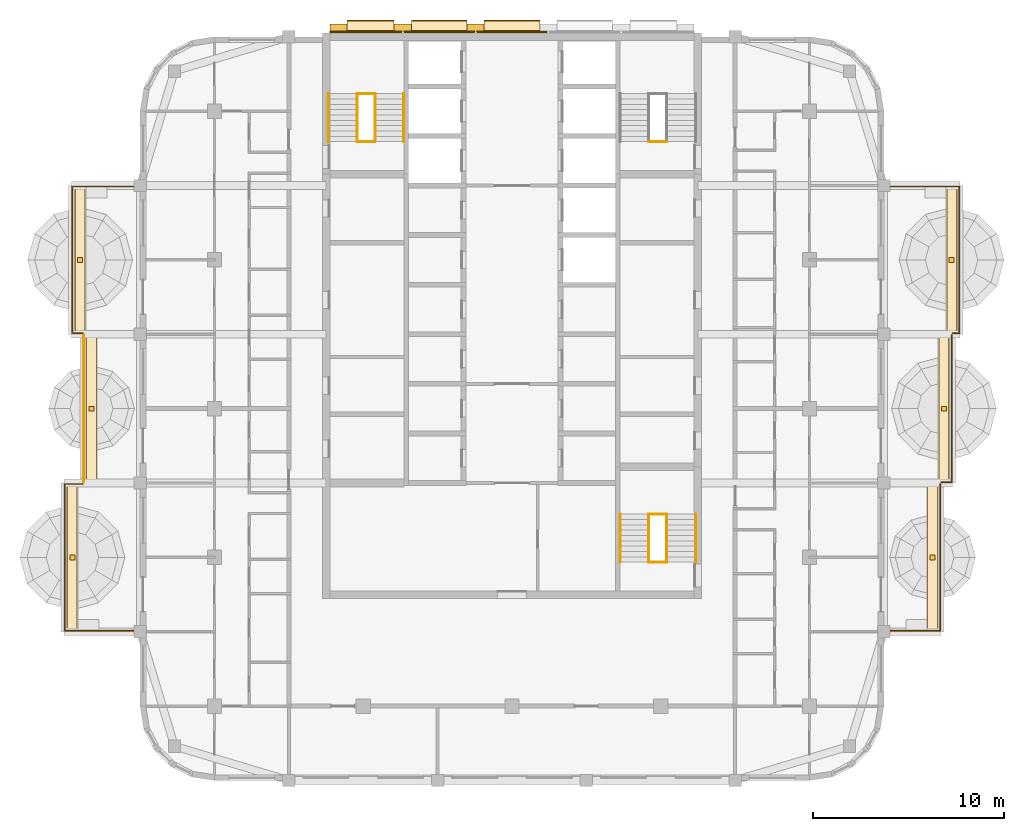
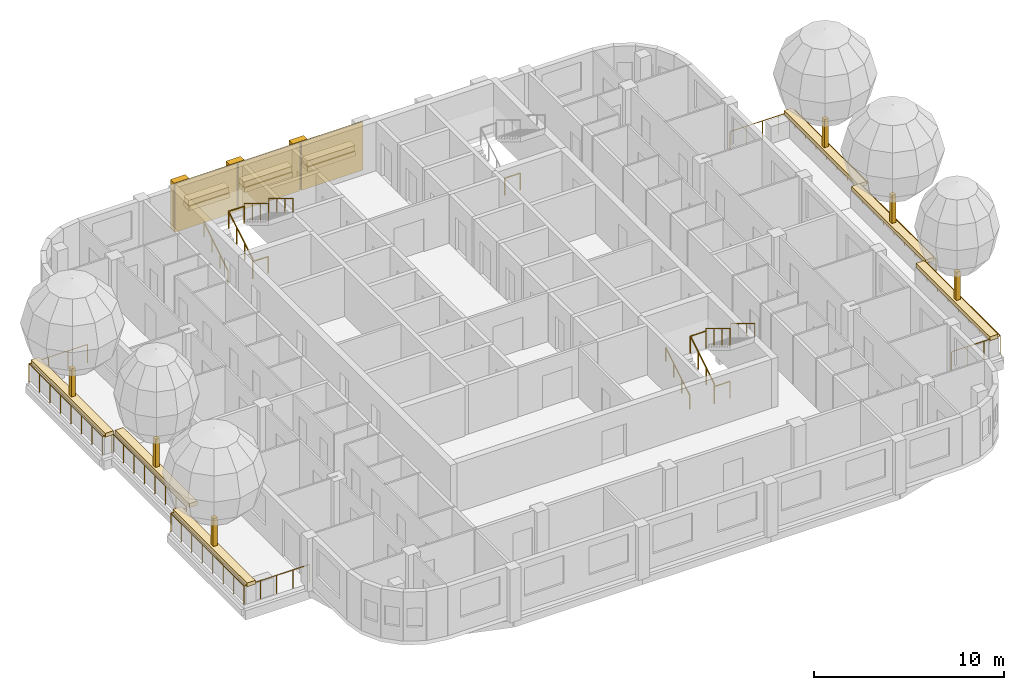
# One storey, part 11 of 13: 24 coverings, 19 railings, 3 elements without a shape of their own.
"""IFC4 building model written with IfcOpenShell, lengths in metres."""

from ifc_helpers import new_model, si_unit, direction, frame, origin, origin_2d, place, context, subcontext, project, spatial, rectangle, circle, extrude, material, layer, layer_set, type_object, element, aggregate, save


model = new_model("IFC4")

# Units and contexts
model_context = context("Model", 3, precision=1e-05, world=origin(), true_north=direction((0.0, 1.0)))
body_context = subcontext(model_context, "Body", "Model", "MODEL_VIEW")
ifc_project = project(units=[si_unit("LENGTHUNIT", "METRE"), si_unit("AREAUNIT", "SQUARE_METRE"), si_unit("VOLUMEUNIT", "CUBIC_METRE"), si_unit("PLANEANGLEUNIT", "RADIAN"), si_unit("MASSUNIT", "GRAM", prefix="KILO")], contexts=[model_context])

# Site, building, storey
site_placement = place(None, origin())
site = spatial("IfcSite", under=ifc_project, at=site_placement, CompositionType="ELEMENT")
building_placement = place(site_placement, origin())
building = spatial("IfcBuilding", under=site, at=building_placement, Name="Ludao Terraces", CompositionType="ELEMENT")
storey_placement = place(building_placement, frame((0.0, 0.0, 259.60009765625)))
storey = spatial("IfcBuildingStorey", under=building, at=storey_placement, Name="L71", CompositionType="ELEMENT", Elevation=259.60009765625)

# Railings
ifc_material_1 = material(Name="Stainless steel 304", Category="steel")
railing_type_1 = type_object("IfcRailingType", Name="ENV Balcony glass guard 1200", PredefinedType="GUARDRAIL", material=ifc_material_1)
railing_1_placement = place(storey_placement, frame((104.5, 53.35009765625, 0.0)))
element("IfcRailing", 1, at=railing_1_placement, inside=storey, type_object=railing_type_1, Name="Balcony guard L71 E1", PredefinedType="GUARDRAIL", context=body_context, shape_type="SweptSolid", body=[
    extrude(circle(Radius=0.02392578125, at=origin_2d()), frame((0.0, 0.0, 1.17578125), z_axis=(1.0, 0.0, 0.0), x_axis=(0.0, 1.0, 0.0)), (0.0, 0.0, 1.0), 2.949951171875),
    extrude(circle(Radius=0.02392578125, at=origin_2d()), frame((2.949951171875, 0.0, 1.17578125), z_axis=(0.0, 1.0, 0.0), x_axis=(-1.0, 0.0, 0.0)), (0.0, 0.0, 1.0), 7.699951171875),
    extrude(circle(Radius=0.02099609375, at=origin_2d()), origin(), (0.0, 0.0, 1.0), 1.15185546875),
    extrude(circle(Radius=0.02099609375, at=origin_2d()), frame((0.9833984375, 0.0, 0.0)), (0.0, 0.0, 1.0), 1.15185546875),
    extrude(circle(Radius=0.02099609375, at=origin_2d()), frame((1.966552734375, 0.0, 0.0)), (0.0, 0.0, 1.0), 1.15185546875),
    extrude(circle(Radius=0.02099609375, at=origin_2d()), frame((2.949951171875, 0.0, 0.0)), (0.0, 0.0, 1.0), 1.15185546875),
    extrude(circle(Radius=0.02099609375, at=origin_2d()), frame((2.949951171875, 1.10009765625, 0.0)), (0.0, 0.0, 1.0), 1.15185546875),
    extrude(circle(Radius=0.02099609375, at=origin_2d()), frame((2.949951171875, 2.199951171875, 0.0)), (0.0, 0.0, 1.0), 1.15185546875),
    extrude(circle(Radius=0.02099609375, at=origin_2d()), frame((2.949951171875, 3.300048828125, 0.0)), (0.0, 0.0, 1.0), 1.15185546875),
    extrude(circle(Radius=0.02099609375, at=origin_2d()), frame((2.949951171875, 4.39990234375, 0.0)), (0.0, 0.0, 1.0), 1.15185546875),
    extrude(circle(Radius=0.02099609375, at=origin_2d()), frame((2.949951171875, 5.5, 0.0)), (0.0, 0.0, 1.0), 1.15185546875),
    extrude(circle(Radius=0.02099609375, at=origin_2d()), frame((2.949951171875, 6.599853515625, 0.0)), (0.0, 0.0, 1.0), 1.15185546875),
    extrude(circle(Radius=0.02099609375, at=origin_2d()), frame((2.949951171875, 7.699951171875, 0.0)), (0.0, 0.0, 1.0), 1.15185546875),
])
railing_2_placement = place(storey_placement, frame((107.5, 61.14990234375, 0.0)))
element("IfcRailing", 2, at=railing_2_placement, inside=storey, type_object=railing_type_1, Name="Balcony guard L71 E2", PredefinedType="GUARDRAIL", context=body_context, shape_type="SweptSolid", body=[
    extrude(circle(Radius=0.02392578125, at=origin_2d()), frame((0.0, 0.0, 1.17578125), z_axis=(1.0, 0.0, 0.0), x_axis=(0.0, 1.0, 0.0)), (0.0, 0.0, 1.0), 0.550048828125),
    extrude(circle(Radius=0.02392578125, at=origin_2d()), frame((0.550048828125, 0.0, 1.17578125), z_axis=(0.0, 1.0, 0.0), x_axis=(-1.0, 0.0, 0.0)), (0.0, 0.0, 1.0), 7.7001953125),
    extrude(circle(Radius=0.02099609375, at=origin_2d()), origin(), (0.0, 0.0, 1.0), 1.15185546875),
    extrude(circle(Radius=0.02099609375, at=origin_2d()), frame((0.550048828125, 0.0, 0.0)), (0.0, 0.0, 1.0), 1.15185546875),
    extrude(circle(Radius=0.02099609375, at=origin_2d()), frame((0.550048828125, 1.10009765625, 0.0)), (0.0, 0.0, 1.0), 1.15185546875),
    extrude(circle(Radius=0.02099609375, at=origin_2d()), frame((0.550048828125, 2.199951171875, 0.0)), (0.0, 0.0, 1.0), 1.15185546875),
    extrude(circle(Radius=0.02099609375, at=origin_2d()), frame((0.550048828125, 3.300048828125, 0.0)), (0.0, 0.0, 1.0), 1.15185546875),
    extrude(circle(Radius=0.02099609375, at=origin_2d()), frame((0.550048828125, 4.400146484375, 0.0)), (0.0, 0.0, 1.0), 1.15185546875),
    extrude(circle(Radius=0.02099609375, at=origin_2d()), frame((0.550048828125, 5.500244140625, 0.0)), (0.0, 0.0, 1.0), 1.15185546875),
    extrude(circle(Radius=0.02099609375, at=origin_2d()), frame((0.550048828125, 6.60009765625, 0.0)), (0.0, 0.0, 1.0), 1.15185546875),
    extrude(circle(Radius=0.02099609375, at=origin_2d()), frame((0.550048828125, 7.7001953125, 0.0)), (0.0, 0.0, 1.0), 1.15185546875),
])
railing_3_placement = place(storey_placement, frame((108.10009765625, 68.949951171875, 0.0)))
element("IfcRailing", 3, at=railing_3_placement, inside=storey, type_object=railing_type_1, Name="Balcony guard L71 E3", PredefinedType="GUARDRAIL", context=body_context, shape_type="SweptSolid", body=[
    extrude(circle(Radius=0.02392578125, at=origin_2d()), frame((0.0, 0.0, 1.17578125), z_axis=(1.0, 0.0, 0.0), x_axis=(0.0, 1.0, 0.0)), (0.0, 0.0, 1.0), 0.349853515625),
    extrude(circle(Radius=0.02392578125, at=origin_2d()), frame((0.349853515625, 0.0, 1.17578125), z_axis=(0.0, 1.0, 0.0), x_axis=(-1.0, 0.0, 0.0)), (0.0, 0.0, 1.0), 7.699951171875),
    extrude(circle(Radius=0.02392578125, at=origin_2d()), frame((0.349853515625, 7.699951171875, 1.17578125), z_axis=(-1.0, 0.0, 0.0), x_axis=(0.0, -1.0, 0.0)), (0.0, 0.0, 1.0), 3.949951171875),
    extrude(circle(Radius=0.02099609375, at=origin_2d()), origin(), (0.0, 0.0, 1.0), 1.15185546875),
    extrude(circle(Radius=0.02099609375, at=origin_2d()), frame((0.349853515625, 0.0, 0.0)), (0.0, 0.0, 1.0), 1.15185546875),
    extrude(circle(Radius=0.02099609375, at=origin_2d()), frame((0.349853515625, 1.10009765625, 0.0)), (0.0, 0.0, 1.0), 1.15185546875),
    extrude(circle(Radius=0.02099609375, at=origin_2d()), frame((0.349853515625, 2.199951171875, 0.0)), (0.0, 0.0, 1.0), 1.15185546875),
    extrude(circle(Radius=0.02099609375, at=origin_2d()), frame((0.349853515625, 3.300048828125, 0.0)), (0.0, 0.0, 1.0), 1.15185546875),
    extrude(circle(Radius=0.02099609375, at=origin_2d()), frame((0.349853515625, 4.39990234375, 0.0)), (0.0, 0.0, 1.0), 1.15185546875),
    extrude(circle(Radius=0.02099609375, at=origin_2d()), frame((0.349853515625, 5.5, 0.0)), (0.0, 0.0, 1.0), 1.15185546875),
    extrude(circle(Radius=0.02099609375, at=origin_2d()), frame((0.349853515625, 6.599853515625, 0.0)), (0.0, 0.0, 1.0), 1.15185546875),
    extrude(circle(Radius=0.02099609375, at=origin_2d()), frame((0.349853515625, 7.699951171875, 0.0)), (0.0, 0.0, 1.0), 1.15185546875),
    extrude(circle(Radius=0.02099609375, at=origin_2d()), frame((-0.6376953125, 7.699951171875, 0.0)), (0.0, 0.0, 1.0), 1.15185546875),
    extrude(circle(Radius=0.02099609375, at=origin_2d()), frame((-1.625, 7.699951171875, 0.0)), (0.0, 0.0, 1.0), 1.15185546875),
    extrude(circle(Radius=0.02099609375, at=origin_2d()), frame((-2.612548828125, 7.699951171875, 0.0)), (0.0, 0.0, 1.0), 1.15185546875),
    extrude(circle(Radius=0.02099609375, at=origin_2d()), frame((-3.60009765625, 7.699951171875, 0.0)), (0.0, 0.0, 1.0), 1.15185546875),
])
railing_4_placement = place(storey_placement, frame((65.5, 53.35009765625, 0.0)))
element("IfcRailing", 4, at=railing_4_placement, inside=storey, type_object=railing_type_1, Name="Balcony guard L71 W1", PredefinedType="GUARDRAIL", context=body_context, shape_type="SweptSolid", body=[
    extrude(circle(Radius=0.02392578125, at=origin_2d()), frame((0.0, 0.0, 1.17578125), z_axis=(-1.0, 0.0, 0.0), x_axis=(0.0, -1.0, 0.0)), (0.0, 0.0, 1.0), 3.949951171875),
    extrude(circle(Radius=0.02392578125, at=origin_2d()), frame((-3.949951171875, 0.0, 1.17578125), z_axis=(0.0, 1.0, 0.0), x_axis=(-1.0, 0.0, 0.0)), (0.0, 0.0, 1.0), 7.699951171875),
    extrude(circle(Radius=0.02392578125, at=origin_2d()), frame((-3.949951171875, 7.699951171875, 1.17578125), z_axis=(1.0, 0.0, 0.0), x_axis=(0.0, 1.0, 0.0)), (0.0, 0.0, 1.0), 0.949951171875),
    extrude(circle(Radius=0.02099609375, at=origin_2d()), origin(), (0.0, 0.0, 1.0), 1.15185546875),
    extrude(circle(Radius=0.02099609375, at=origin_2d()), frame((-0.987548828125, 0.0, 0.0)), (0.0, 0.0, 1.0), 1.15185546875),
    extrude(circle(Radius=0.02099609375, at=origin_2d()), frame((-1.97509765625, 0.0, 0.0)), (0.0, 0.0, 1.0), 1.15185546875),
    extrude(circle(Radius=0.02099609375, at=origin_2d()), frame((-2.96240234375, 0.0, 0.0)), (0.0, 0.0, 1.0), 1.15185546875),
    extrude(circle(Radius=0.02099609375, at=origin_2d()), frame((-3.949951171875, 0.0, 0.0)), (0.0, 0.0, 1.0), 1.15185546875),
    extrude(circle(Radius=0.02099609375, at=origin_2d()), frame((-3.949951171875, 1.10009765625, 0.0)), (0.0, 0.0, 1.0), 1.15185546875),
    extrude(circle(Radius=0.02099609375, at=origin_2d()), frame((-3.949951171875, 2.199951171875, 0.0)), (0.0, 0.0, 1.0), 1.15185546875),
    extrude(circle(Radius=0.02099609375, at=origin_2d()), frame((-3.949951171875, 3.300048828125, 0.0)), (0.0, 0.0, 1.0), 1.15185546875),
    extrude(circle(Radius=0.02099609375, at=origin_2d()), frame((-3.949951171875, 4.39990234375, 0.0)), (0.0, 0.0, 1.0), 1.15185546875),
    extrude(circle(Radius=0.02099609375, at=origin_2d()), frame((-3.949951171875, 5.5, 0.0)), (0.0, 0.0, 1.0), 1.15185546875),
    extrude(circle(Radius=0.02099609375, at=origin_2d()), frame((-3.949951171875, 6.599853515625, 0.0)), (0.0, 0.0, 1.0), 1.15185546875),
    extrude(circle(Radius=0.02099609375, at=origin_2d()), frame((-3.949951171875, 7.699951171875, 0.0)), (0.0, 0.0, 1.0), 1.15185546875),
    extrude(circle(Radius=0.02099609375, at=origin_2d()), frame((-3.0, 7.699951171875, 0.0)), (0.0, 0.0, 1.0), 1.15185546875),
])
railing_5_placement = place(storey_placement, frame((62.550048828125, 61.14990234375, 0.0)))
element("IfcRailing", 5, at=railing_5_placement, inside=storey, type_object=railing_type_1, Name="Balcony guard L71 W2", PredefinedType="GUARDRAIL", context=body_context, shape_type="SweptSolid", body=[
    extrude(circle(Radius=0.02392578125, at=origin_2d()), frame((0.0, 0.0, 1.17578125), z_axis=(0.0, 1.0, 0.0), x_axis=(-1.0, 0.0, 0.0)), (0.0, 0.0, 1.0), 7.7001953125),
    extrude(circle(Radius=0.02099609375, at=origin_2d()), origin(), (0.0, 0.0, 1.0), 1.15185546875),
    extrude(circle(Radius=0.02099609375, at=origin_2d()), frame((0.0, 1.10009765625, 0.0)), (0.0, 0.0, 1.0), 1.15185546875),
    extrude(circle(Radius=0.02099609375, at=origin_2d()), frame((0.0, 2.199951171875, 0.0)), (0.0, 0.0, 1.0), 1.15185546875),
    extrude(circle(Radius=0.02099609375, at=origin_2d()), frame((0.0, 3.300048828125, 0.0)), (0.0, 0.0, 1.0), 1.15185546875),
    extrude(circle(Radius=0.02099609375, at=origin_2d()), frame((0.0, 4.400146484375, 0.0)), (0.0, 0.0, 1.0), 1.15185546875),
    extrude(circle(Radius=0.02099609375, at=origin_2d()), frame((0.0, 5.500244140625, 0.0)), (0.0, 0.0, 1.0), 1.15185546875),
    extrude(circle(Radius=0.02099609375, at=origin_2d()), frame((0.0, 6.60009765625, 0.0)), (0.0, 0.0, 1.0), 1.15185546875),
    extrude(circle(Radius=0.02099609375, at=origin_2d()), frame((0.0, 7.7001953125, 0.0)), (0.0, 0.0, 1.0), 1.15185546875),
])
railing_6_placement = place(storey_placement, frame((62.5, 68.949951171875, 0.0)))
element("IfcRailing", 6, at=railing_6_placement, inside=storey, type_object=railing_type_1, Name="Balcony guard L71 W3", PredefinedType="GUARDRAIL", context=body_context, shape_type="SweptSolid", body=[
    extrude(circle(Radius=0.02392578125, at=origin_2d()), frame((0.0, 0.0, 1.17578125), z_axis=(-1.0, 0.0, 0.0), x_axis=(0.0, -1.0, 0.0)), (0.0, 0.0, 1.0), 0.550048828125),
    extrude(circle(Radius=0.02392578125, at=origin_2d()), frame((-0.550048828125, 0.0, 1.17578125), z_axis=(0.0, 1.0, 0.0), x_axis=(-1.0, 0.0, 0.0)), (0.0, 0.0, 1.0), 7.699951171875),
    extrude(circle(Radius=0.02392578125, at=origin_2d()), frame((-0.550048828125, 7.699951171875, 1.17578125), z_axis=(1.0, 0.0, 0.0), x_axis=(0.0, 1.0, 0.0)), (0.0, 0.0, 1.0), 3.550048828125),
    extrude(circle(Radius=0.02099609375, at=origin_2d()), origin(), (0.0, 0.0, 1.0), 1.15185546875),
    extrude(circle(Radius=0.02099609375, at=origin_2d()), frame((-0.550048828125, 0.0, 0.0)), (0.0, 0.0, 1.0), 1.15185546875),
    extrude(circle(Radius=0.02099609375, at=origin_2d()), frame((-0.550048828125, 1.10009765625, 0.0)), (0.0, 0.0, 1.0), 1.15185546875),
    extrude(circle(Radius=0.02099609375, at=origin_2d()), frame((-0.550048828125, 2.199951171875, 0.0)), (0.0, 0.0, 1.0), 1.15185546875),
    extrude(circle(Radius=0.02099609375, at=origin_2d()), frame((-0.550048828125, 3.300048828125, 0.0)), (0.0, 0.0, 1.0), 1.15185546875),
    extrude(circle(Radius=0.02099609375, at=origin_2d()), frame((-0.550048828125, 4.39990234375, 0.0)), (0.0, 0.0, 1.0), 1.15185546875),
    extrude(circle(Radius=0.02099609375, at=origin_2d()), frame((-0.550048828125, 5.5, 0.0)), (0.0, 0.0, 1.0), 1.15185546875),
    extrude(circle(Radius=0.02099609375, at=origin_2d()), frame((-0.550048828125, 6.599853515625, 0.0)), (0.0, 0.0, 1.0), 1.15185546875),
    extrude(circle(Radius=0.02099609375, at=origin_2d()), frame((-0.550048828125, 7.699951171875, 0.0)), (0.0, 0.0, 1.0), 1.15185546875),
    extrude(circle(Radius=0.02099609375, at=origin_2d()), frame((0.63330078125, 7.699951171875, 0.0)), (0.0, 0.0, 1.0), 1.15185546875),
    extrude(circle(Radius=0.02099609375, at=origin_2d()), frame((1.816650390625, 7.699951171875, 0.0)), (0.0, 0.0, 1.0), 1.15185546875),
    extrude(circle(Radius=0.02099609375, at=origin_2d()), frame((3.0, 7.699951171875, 0.0)), (0.0, 0.0, 1.0), 1.15185546875),
])

# Coverings
ifc_material_2 = material(Name="Granite cladding", Category="masonry")
ifc_layer_1 = layer(ifc_material_2, 0.39990234375)
ifc_layer_set_1 = layer_set([ifc_layer_1], Name="ENV Core pilaster stone 400")
covering_type_1 = type_object("IfcCoveringType", Name="ENV Core pilaster stone 400", PredefinedType="CLADDING", material=ifc_layer_set_1)
for number, where, z_axis, x_axis, name in (
    (7, (75.89990234375, 84.97998046875, -0.000244140625), (0.0, 0.0, 1.0), (1.0, 0.0, 0.0), "CC-L71-PIL1"),
    (8, (79.27001953125, 84.97998046875, -0.000244140625), (0.0, 0.0, 1.0), (1.0, 0.0, 0.0), "CC-L71-PIL2"),
    (9, (83.090087890625, 84.97998046875, -0.000244140625), (0.0, 0.0, 1.0), (1.0, 0.0, 0.0), "CC-L71-PIL3"),
):
    element("IfcCovering", number, at=place(storey_placement, frame(where, z_axis=z_axis, x_axis=x_axis)), inside=storey, type_object=covering_type_1, Name=name, PredefinedType="CLADDING", context=body_context, shape_type="SweptSolid", body=[
        extrude(rectangle(XDim=0.89990234375, YDim=0.39990234375, at=origin_2d()), origin(), (0.0, 0.0, 1.0), 3.10009765625),
    ])
ifc_layer_2 = layer(ifc_material_2, 0.60009765625)
ifc_layer_set_2 = layer_set([ifc_layer_2], Name="ENV Core planting shelf stone 600")
covering_type_2 = type_object("IfcCoveringType", Name="ENV Core planting shelf stone 600", PredefinedType="CLADDING", material=ifc_layer_set_2)
covering_1_placement = place(storey_placement, frame((77.5849609375, 85.080078125, 1.0), z_axis=(0.0, 0.0, 1.0), x_axis=(1.0, 0.0, 0.0)))
element("IfcCovering", 10, at=covering_1_placement, inside=storey, type_object=covering_type_2, Name="CC-L71-SHELF1", PredefinedType="CLADDING", context=body_context, shape_type="SweptSolid", body=[
    extrude(rectangle(XDim=2.469970703125, YDim=0.60009765625, at=origin_2d()), origin(), (0.0, 0.0, 1.0), 0.300048828125),
])
for number, where, z_axis, x_axis, name in (
    (11, (81.179931640625, 85.080078125, 1.0), (0.0, 0.0, 1.0), (1.0, 0.0, 0.0), "CC-L71-SHELF2"),
    (12, (85.0, 85.080078125, 1.0), (0.0, 0.0, 1.0), (1.0, 0.0, 0.0), "CC-L71-SHELF3"),
):
    element("IfcCovering", number, at=place(storey_placement, frame(where, z_axis=z_axis, x_axis=x_axis)), inside=storey, type_object=covering_type_2, Name=name, PredefinedType="CLADDING", context=body_context, shape_type="SweptSolid", body=[
        extrude(rectangle(XDim=2.919921875, YDim=0.60009765625, at=origin_2d()), origin(), (0.0, 0.0, 1.0), 0.300048828125),
    ])
ifc_layer_3 = layer(ifc_material_2, 0.080078125)
ifc_layer_set_3 = layer_set([ifc_layer_3], Name="ENV Core stone cladding panel 80")
covering_type_3 = type_object("IfcCoveringType", Name="ENV Core stone cladding panel 80", PredefinedType="CLADDING", material=ifc_layer_set_3)
covering_2_placement = place(storey_placement, frame((77.3349609375, 84.739990234375, -0.000244140625), z_axis=(0.0, 0.0, 1.0), x_axis=(1.0, 0.0, 0.0)))
element("IfcCovering", 13, at=covering_2_placement, inside=storey, type_object=covering_type_3, Name="CC-L71-CORE1", PredefinedType="CLADDING", context=body_context, shape_type="SweptSolid", body=[
    extrude(rectangle(XDim=3.77001953125, YDim=0.080078125, at=origin_2d()), origin(), (0.0, 0.0, 1.0), 3.10009765625),
])
for number, where, z_axis, x_axis, name in (
    (14, (81.179931640625, 84.739990234375, -0.000244140625), (0.0, 0.0, 1.0), (1.0, 0.0, 0.0), "CC-L71-CORE2"),
    (15, (85.0, 84.739990234375, -0.000244140625), (0.0, 0.0, 1.0), (1.0, 0.0, 0.0), "CC-L71-CORE3"),
):
    element("IfcCovering", number, at=place(storey_placement, frame(where, z_axis=z_axis, x_axis=x_axis)), inside=storey, type_object=covering_type_3, Name=name, PredefinedType="CLADDING", context=body_context, shape_type="SweptSolid", body=[
        extrude(rectangle(XDim=3.719970703125, YDim=0.080078125, at=origin_2d()), origin(), (0.0, 0.0, 1.0), 3.10009765625),
    ])
ifc_material_3 = material(Name="Planting")
ifc_layer_4 = layer(ifc_material_3, 0.5)
ifc_layer_set_4 = layer_set([ifc_layer_4], Name="ENV Planting bed 250")
covering_type_4 = type_object("IfcCoveringType", Name="ENV Planting bed 250", PredefinedType="USERDEFINED", material=ifc_layer_set_4)
for number, where, z_axis, x_axis, name in (
    (16, (107.050048828125, 57.199951171875, 1.099853515625), (0.0, 0.0, 1.0), (1.0, 0.0, 0.0), "Planting bed L71-E1"),
    (17, (107.64990234375, 65.0, 1.099853515625), (0.0, 0.0, 1.0), (1.0, 0.0, 0.0), "Planting bed L71-E2"),
    (18, (108.050048828125, 72.800048828125, 1.099853515625), (0.0, 0.0, 1.0), (1.0, 0.0, 0.0), "Planting bed L71-E3"),
    (19, (61.949951171875, 57.199951171875, 1.099853515625), (0.0, 0.0, 1.0), (1.0, 0.0, 0.0), "Planting bed L71-W1"),
    (20, (62.949951171875, 65.0, 1.099853515625), (0.0, 0.0, 1.0), (1.0, 0.0, 0.0), "Planting bed L71-W2"),
    (21, (62.35009765625, 72.800048828125, 1.099853515625), (0.0, 0.0, 1.0), (1.0, 0.0, 0.0), "Planting bed L71-W3"),
):
    element("IfcCovering", number, at=place(storey_placement, frame(where, z_axis=z_axis, x_axis=x_axis)), inside=storey, type_object=covering_type_4, Name=name, ObjectType="PLANTING", PredefinedType="USERDEFINED", context=body_context, shape_type="SweptSolid", body=[
        extrude(rectangle(XDim=0.5, YDim=7.800048828125, at=origin_2d()), origin(), (0.0, 0.0, 1.0), 0.25),
    ])
ifc_layer_5 = layer(ifc_material_3, 0.5)
ifc_layer_set_5 = layer_set([ifc_layer_5], Name="ENV Shelf planting bed 350")
covering_type_5 = type_object("IfcCoveringType", Name="ENV Shelf planting bed 350", PredefinedType="USERDEFINED", material=ifc_layer_set_5)
covering_3_placement = place(storey_placement, frame((77.5849609375, 85.080078125, 1.2998046875), z_axis=(0.0, 0.0, 1.0), x_axis=(1.0, 0.0, 0.0)))
element("IfcCovering", 22, at=covering_3_placement, inside=storey, type_object=covering_type_5, Name="Shelf planting bed L71 1", ObjectType="PLANTING", PredefinedType="USERDEFINED", context=body_context, shape_type="SweptSolid", body=[
    extrude(rectangle(XDim=2.469970703125, YDim=0.5, at=origin_2d()), origin(), (0.0, 0.0, 1.0), 0.35009765625),
])
for number, where, z_axis, x_axis, name in (
    (23, (81.179931640625, 85.080078125, 1.2998046875), (0.0, 0.0, 1.0), (1.0, 0.0, 0.0), "Shelf planting bed L71 2"),
    (24, (85.0, 85.080078125, 1.2998046875), (0.0, 0.0, 1.0), (1.0, 0.0, 0.0), "Shelf planting bed L71 3"),
):
    element("IfcCovering", number, at=place(storey_placement, frame(where, z_axis=z_axis, x_axis=x_axis)), inside=storey, type_object=covering_type_5, Name=name, ObjectType="PLANTING", PredefinedType="USERDEFINED", context=body_context, shape_type="SweptSolid", body=[
        extrude(rectangle(XDim=2.919921875, YDim=0.5, at=origin_2d()), origin(), (0.0, 0.0, 1.0), 0.35009765625),
    ])
ifc_material_4 = material(Name="Timber tree trunk", Category="wood")
ifc_layer_6 = layer(ifc_material_4, 0.25)
ifc_layer_set_6 = layer_set([ifc_layer_6], Name="ENV Tree trunk 250x1800")
covering_type_6 = type_object("IfcCoveringType", Name="ENV Tree trunk 250x1800", PredefinedType="USERDEFINED", material=ifc_layer_set_6)
for number, where, z_axis, x_axis, name in (
    (25, (107.050048828125, 57.199951171875, 1.35009765625), (0.0, 0.0, 1.0), (1.0, 0.0, 0.0), "Tree trunk L71 E1"),
    (26, (107.64990234375, 65.0, 1.35009765625), (0.0, 0.0, 1.0), (1.0, 0.0, 0.0), "Tree trunk L71 E2"),
    (27, (108.050048828125, 72.800048828125, 1.35009765625), (0.0, 0.0, 1.0), (1.0, 0.0, 0.0), "Tree trunk L71 E3"),
    (28, (61.949951171875, 57.199951171875, 1.35009765625), (0.0, 0.0, 1.0), (1.0, 0.0, 0.0), "Tree trunk L71 W1"),
    (29, (62.949951171875, 65.0, 1.35009765625), (0.0, 0.0, 1.0), (1.0, 0.0, 0.0), "Tree trunk L71 W2"),
    (30, (62.35009765625, 72.800048828125, 1.35009765625), (0.0, 0.0, 1.0), (1.0, 0.0, 0.0), "Tree trunk L71 W3"),
):
    element("IfcCovering", number, at=place(storey_placement, frame(where, z_axis=z_axis, x_axis=x_axis)), inside=storey, type_object=covering_type_6, Name=name, ObjectType="PLANTING", PredefinedType="USERDEFINED", context=body_context, shape_type="SweptSolid", body=[
        extrude(rectangle(XDim=0.25, YDim=0.25, at=origin_2d()), origin(), (0.0, 0.0, 1.0), 1.800048828125),
    ])

# Stair, railings
ifc_material_5 = material(Name="Concrete C40", Category="concrete")
stair_type = type_object("IfcStairType", Name="INT Stair", PredefinedType="HALF_TURN_STAIR", material=ifc_material_5)
stair_1_placement = place(storey_placement, origin())
stair_1 = element("IfcStair", 31, at=stair_1_placement, inside=storey, type_object=stair_type, Name="EXIT STAIR 1", PredefinedType="HALF_TURN_STAIR")
railing_type_2 = type_object("IfcRailingType", Name="INT Stair guard 1100", PredefinedType="GUARDRAIL", material=ifc_material_1)
railing_7_placement = place(storey_placement, frame((76.875, 79.0, 0.169921875)))
railing_7 = element("IfcRailing", 32, at=railing_7_placement, type_object=railing_type_2, Name="ST-L71-S1-R1G", PredefinedType="GUARDRAIL", context=body_context, shape_type="SweptSolid", body=[
    extrude(circle(Radius=0.02392578125, at=origin_2d()), frame((0.0, 0.0, 1.076171875), z_axis=(0.0, 0.85478489116, 0.518982456201), x_axis=(-1.0, 0.0, 0.0)), (0.0, 0.0, 1.0), 2.9482421875),
    extrude(circle(Radius=0.02099609375, at=origin_2d()), origin(), (0.0, 0.0, 1.0), 1.052001953125),
    extrude(circle(Radius=0.02099609375, at=origin_2d()), frame((0.0, 0.840087890625, 0.510009765625)), (0.0, 0.0, 1.0), 1.052001953125),
    extrude(circle(Radius=0.02099609375, at=origin_2d()), frame((0.0, 1.679931640625, 1.02001953125)), (0.0, 0.0, 1.0), 1.052001953125),
    extrude(circle(Radius=0.02099609375, at=origin_2d()), frame((0.0, 2.52001953125, 1.530029296875)), (0.0, 0.0, 1.0), 1.052001953125),
])
railing_8_placement = place(storey_placement, frame((77.824951171875, 81.52001953125, 1.869873046875)))
railing_8 = element("IfcRailing", 33, at=railing_8_placement, type_object=railing_type_2, Name="ST-L71-S1-R2G", PredefinedType="GUARDRAIL", context=body_context, shape_type="SweptSolid", body=[
    extrude(circle(Radius=0.02392578125, at=origin_2d()), frame((0.0, 0.0, 1.076171875), z_axis=(0.0, -0.85478489116, 0.518982456201), x_axis=(1.0, 0.0, 0.0)), (0.0, 0.0, 1.0), 2.9482421875),
    extrude(circle(Radius=0.02099609375, at=origin_2d()), origin(), (0.0, 0.0, 1.0), 1.052001953125),
    extrude(circle(Radius=0.02099609375, at=origin_2d()), frame((0.0, -0.840087890625, 0.510009765625)), (0.0, 0.0, 1.0), 1.052001953125),
    extrude(circle(Radius=0.02099609375, at=origin_2d()), frame((0.0, -1.679931640625, 1.02001953125)), (0.0, 0.0, 1.0), 1.052001953125),
    extrude(circle(Radius=0.02099609375, at=origin_2d()), frame((0.0, -2.52001953125, 1.530029296875)), (0.0, 0.0, 1.0), 1.052001953125),
])
railing_9_placement = place(storey_placement, frame((76.875, 81.52001953125, 1.699951171875)))
railing_9 = element("IfcRailing", 34, at=railing_9_placement, type_object=railing_type_2, Name="ST-L71-S1-E1G", PredefinedType="GUARDRAIL", context=body_context, shape_type="SweptSolid", body=[
    extrude(circle(Radius=0.02392578125, at=origin_2d()), frame((0.0, 0.0, 1.076171875), z_axis=(1.0, 0.0, 0.0), x_axis=(0.0, 1.0, 0.0)), (0.0, 0.0, 1.0), 0.949951171875),
    extrude(circle(Radius=0.02099609375, at=origin_2d()), origin(), (0.0, 0.0, 1.0), 1.052001953125),
    extrude(circle(Radius=0.02099609375, at=origin_2d()), frame((0.949951171875, 0.0, 0.0)), (0.0, 0.0, 1.0), 1.052001953125),
])
railing_10_placement = place(storey_placement, frame((76.875, 79.0, 0.0)))
railing_10 = element("IfcRailing", 35, at=railing_10_placement, type_object=railing_type_2, Name="ST-L71-S1-E2G", PredefinedType="GUARDRAIL", context=body_context, shape_type="SweptSolid", body=[
    extrude(circle(Radius=0.02392578125, at=origin_2d()), frame((0.0, 0.0, 1.076171875), z_axis=(1.0, 0.0, 0.0), x_axis=(0.0, 1.0, 0.0)), (0.0, 0.0, 1.0), 0.949951171875),
    extrude(circle(Radius=0.02099609375, at=origin_2d()), origin(), (0.0, 0.0, 1.0), 1.052001953125),
    extrude(circle(Radius=0.02099609375, at=origin_2d()), frame((0.949951171875, 0.0, 0.0)), (0.0, 0.0, 1.0), 1.052001953125),
])

# Stair, railing
stair_2_placement = place(storey_placement, origin())
stair_2 = element("IfcStair", 36, at=stair_2_placement, inside=storey, type_object=stair_type, Name="EXIT STAIR 2", PredefinedType="HALF_TURN_STAIR")
railing_11_placement = place(storey_placement, frame((92.175048828125, 79.0, 0.0)))
railing_11 = element("IfcRailing", 37, at=railing_11_placement, type_object=railing_type_2, Name="ST-L71-S2-E2G", PredefinedType="GUARDRAIL", context=body_context, shape_type="SweptSolid", body=[
    extrude(circle(Radius=0.02392578125, at=origin_2d()), frame((0.0, 0.0, 1.076171875), z_axis=(1.0, 0.0, 0.0), x_axis=(0.0, 1.0, 0.0)), (0.0, 0.0, 1.0), 0.949951171875),
    extrude(circle(Radius=0.02099609375, at=origin_2d()), origin(), (0.0, 0.0, 1.0), 1.052001953125),
    extrude(circle(Radius=0.02099609375, at=origin_2d()), frame((0.949951171875, 0.0, 0.0)), (0.0, 0.0, 1.0), 1.052001953125),
])
aggregate(stair_2, [railing_11])

# Stair, railings
stair_3_placement = place(storey_placement, origin())
stair_3 = element("IfcStair", 38, at=stair_3_placement, inside=storey, type_object=stair_type, Name="EXIT STAIR 3", PredefinedType="HALF_TURN_STAIR")
railing_12_placement = place(storey_placement, frame((92.175048828125, 56.949951171875, 0.169921875)))
railing_12 = element("IfcRailing", 39, at=railing_12_placement, type_object=railing_type_2, Name="ST-L71-S3-R1G", PredefinedType="GUARDRAIL", context=body_context, shape_type="SweptSolid", body=[
    extrude(circle(Radius=0.02392578125, at=origin_2d()), frame((0.0, 0.0, 1.076171875), z_axis=(0.0, 0.85478489116, 0.518982456201), x_axis=(-1.0, 0.0, 0.0)), (0.0, 0.0, 1.0), 2.9482421875),
    extrude(circle(Radius=0.02099609375, at=origin_2d()), origin(), (0.0, 0.0, 1.0), 1.052001953125),
    extrude(circle(Radius=0.02099609375, at=origin_2d()), frame((0.0, 0.840087890625, 0.510009765625)), (0.0, 0.0, 1.0), 1.052001953125),
    extrude(circle(Radius=0.02099609375, at=origin_2d()), frame((0.0, 1.679931640625, 1.02001953125)), (0.0, 0.0, 1.0), 1.052001953125),
    extrude(circle(Radius=0.02099609375, at=origin_2d()), frame((0.0, 2.52001953125, 1.530029296875)), (0.0, 0.0, 1.0), 1.052001953125),
])
railing_13_placement = place(storey_placement, frame((93.125, 59.469970703125, 1.869873046875)))
railing_13 = element("IfcRailing", 40, at=railing_13_placement, type_object=railing_type_2, Name="ST-L71-S3-R2G", PredefinedType="GUARDRAIL", context=body_context, shape_type="SweptSolid", body=[
    extrude(circle(Radius=0.02392578125, at=origin_2d()), frame((0.0, 0.0, 1.076171875), z_axis=(0.0, -0.85478489116, 0.518982456201), x_axis=(1.0, 0.0, 0.0)), (0.0, 0.0, 1.0), 2.9482421875),
    extrude(circle(Radius=0.02099609375, at=origin_2d()), origin(), (0.0, 0.0, 1.0), 1.052001953125),
    extrude(circle(Radius=0.02099609375, at=origin_2d()), frame((0.0, -0.840087890625, 0.510009765625)), (0.0, 0.0, 1.0), 1.052001953125),
    extrude(circle(Radius=0.02099609375, at=origin_2d()), frame((0.0, -1.679931640625, 1.02001953125)), (0.0, 0.0, 1.0), 1.052001953125),
    extrude(circle(Radius=0.02099609375, at=origin_2d()), frame((0.0, -2.52001953125, 1.530029296875)), (0.0, 0.0, 1.0), 1.052001953125),
])
railing_14_placement = place(storey_placement, frame((92.175048828125, 59.469970703125, 1.699951171875)))
railing_14 = element("IfcRailing", 41, at=railing_14_placement, type_object=railing_type_2, Name="ST-L71-S3-E1G", PredefinedType="GUARDRAIL", context=body_context, shape_type="SweptSolid", body=[
    extrude(circle(Radius=0.02392578125, at=origin_2d()), frame((0.0, 0.0, 1.076171875), z_axis=(1.0, 0.0, 0.0), x_axis=(0.0, 1.0, 0.0)), (0.0, 0.0, 1.0), 0.949951171875),
    extrude(circle(Radius=0.02099609375, at=origin_2d()), origin(), (0.0, 0.0, 1.0), 1.052001953125),
    extrude(circle(Radius=0.02099609375, at=origin_2d()), frame((0.949951171875, 0.0, 0.0)), (0.0, 0.0, 1.0), 1.052001953125),
])
railing_15_placement = place(storey_placement, frame((92.175048828125, 56.949951171875, 0.0)))
railing_15 = element("IfcRailing", 42, at=railing_15_placement, type_object=railing_type_2, Name="ST-L71-S3-E2G", PredefinedType="GUARDRAIL", context=body_context, shape_type="SweptSolid", body=[
    extrude(circle(Radius=0.02392578125, at=origin_2d()), frame((0.0, 0.0, 1.076171875), z_axis=(1.0, 0.0, 0.0), x_axis=(0.0, 1.0, 0.0)), (0.0, 0.0, 1.0), 0.949951171875),
    extrude(circle(Radius=0.02099609375, at=origin_2d()), origin(), (0.0, 0.0, 1.0), 1.052001953125),
    extrude(circle(Radius=0.02099609375, at=origin_2d()), frame((0.949951171875, 0.0, 0.0)), (0.0, 0.0, 1.0), 1.052001953125),
])

# Railing
railing_type_3 = type_object("IfcRailingType", Name="INT Stair handrail 900", PredefinedType="HANDRAIL", material=ifc_material_1)
railing_16_placement = place(storey_placement, frame((75.375, 79.0, 0.169921875)))
railing_16 = element("IfcRailing", 43, at=railing_16_placement, type_object=railing_type_3, Name="ST-L71-S1-R1H", PredefinedType="HANDRAIL", context=body_context, shape_type="SweptSolid", body=[
    extrude(circle(Radius=0.02392578125, at=origin_2d()), frame((0.0, 0.0, 0.8759765625), z_axis=(0.0, 0.85478489116, 0.518982456201), x_axis=(-1.0, 0.0, 0.0)), (0.0, 0.0, 1.0), 2.9482421875),
    extrude(circle(Radius=0.02099609375, at=origin_2d()), origin(), (0.0, 0.0, 1.0), 0.851806640625),
    extrude(circle(Radius=0.02099609375, at=origin_2d()), frame((0.0, 0.840087890625, 0.510009765625)), (0.0, 0.0, 1.0), 0.851806640625),
    extrude(circle(Radius=0.02099609375, at=origin_2d()), frame((0.0, 1.679931640625, 1.02001953125)), (0.0, 0.0, 1.0), 0.851806640625),
    extrude(circle(Radius=0.02099609375, at=origin_2d()), frame((0.0, 2.52001953125, 1.530029296875)), (0.0, 0.0, 1.0), 0.851806640625),
])

railing_17_placement = place(storey_placement, frame((79.324951171875, 81.52001953125, 1.869873046875)))
railing_17 = element("IfcRailing", 44, at=railing_17_placement, type_object=railing_type_3, Name="ST-L71-S1-R2H", PredefinedType="HANDRAIL", context=body_context, shape_type="SweptSolid", body=[
    extrude(circle(Radius=0.02392578125, at=origin_2d()), frame((0.0, 0.0, 0.8759765625), z_axis=(0.0, -0.85478489116, 0.518982456201), x_axis=(1.0, 0.0, 0.0)), (0.0, 0.0, 1.0), 2.9482421875),
    extrude(circle(Radius=0.02099609375, at=origin_2d()), origin(), (0.0, 0.0, 1.0), 0.851806640625),
    extrude(circle(Radius=0.02099609375, at=origin_2d()), frame((0.0, -0.840087890625, 0.510009765625)), (0.0, 0.0, 1.0), 0.851806640625),
    extrude(circle(Radius=0.02099609375, at=origin_2d()), frame((0.0, -1.679931640625, 1.02001953125)), (0.0, 0.0, 1.0), 0.851806640625),
    extrude(circle(Radius=0.02099609375, at=origin_2d()), frame((0.0, -2.52001953125, 1.530029296875)), (0.0, 0.0, 1.0), 0.851806640625),
])

aggregate(stair_1, [railing_7, railing_16, railing_8, railing_17, railing_9, railing_10])

railing_18_placement = place(storey_placement, frame((90.675048828125, 56.949951171875, 0.169921875)))
railing_18 = element("IfcRailing", 45, at=railing_18_placement, type_object=railing_type_3, Name="ST-L71-S3-R1H", PredefinedType="HANDRAIL", context=body_context, shape_type="SweptSolid", body=[
    extrude(circle(Radius=0.02392578125, at=origin_2d()), frame((0.0, 0.0, 0.8759765625), z_axis=(0.0, 0.85478489116, 0.518982456201), x_axis=(-1.0, 0.0, 0.0)), (0.0, 0.0, 1.0), 2.9482421875),
    extrude(circle(Radius=0.02099609375, at=origin_2d()), origin(), (0.0, 0.0, 1.0), 0.851806640625),
    extrude(circle(Radius=0.02099609375, at=origin_2d()), frame((0.0, 0.840087890625, 0.510009765625)), (0.0, 0.0, 1.0), 0.851806640625),
    extrude(circle(Radius=0.02099609375, at=origin_2d()), frame((0.0, 1.679931640625, 1.02001953125)), (0.0, 0.0, 1.0), 0.851806640625),
    extrude(circle(Radius=0.02099609375, at=origin_2d()), frame((0.0, 2.52001953125, 1.530029296875)), (0.0, 0.0, 1.0), 0.851806640625),
])

railing_19_placement = place(storey_placement, frame((94.625, 59.469970703125, 1.869873046875)))
railing_19 = element("IfcRailing", 46, at=railing_19_placement, type_object=railing_type_3, Name="ST-L71-S3-R2H", PredefinedType="HANDRAIL", context=body_context, shape_type="SweptSolid", body=[
    extrude(circle(Radius=0.02392578125, at=origin_2d()), frame((0.0, 0.0, 0.8759765625), z_axis=(0.0, -0.85478489116, 0.518982456201), x_axis=(1.0, 0.0, 0.0)), (0.0, 0.0, 1.0), 2.9482421875),
    extrude(circle(Radius=0.02099609375, at=origin_2d()), origin(), (0.0, 0.0, 1.0), 0.851806640625),
    extrude(circle(Radius=0.02099609375, at=origin_2d()), frame((0.0, -0.840087890625, 0.510009765625)), (0.0, 0.0, 1.0), 0.851806640625),
    extrude(circle(Radius=0.02099609375, at=origin_2d()), frame((0.0, -1.679931640625, 1.02001953125)), (0.0, 0.0, 1.0), 0.851806640625),
    extrude(circle(Radius=0.02099609375, at=origin_2d()), frame((0.0, -2.52001953125, 1.530029296875)), (0.0, 0.0, 1.0), 0.851806640625),
])

aggregate(stair_3, [railing_12, railing_18, railing_13, railing_19, railing_14, railing_15])

save(model, "model.ifc")
